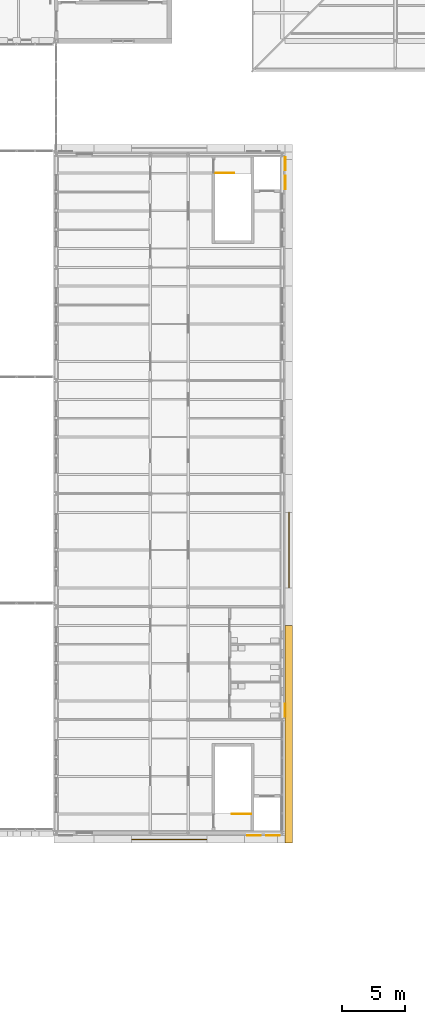
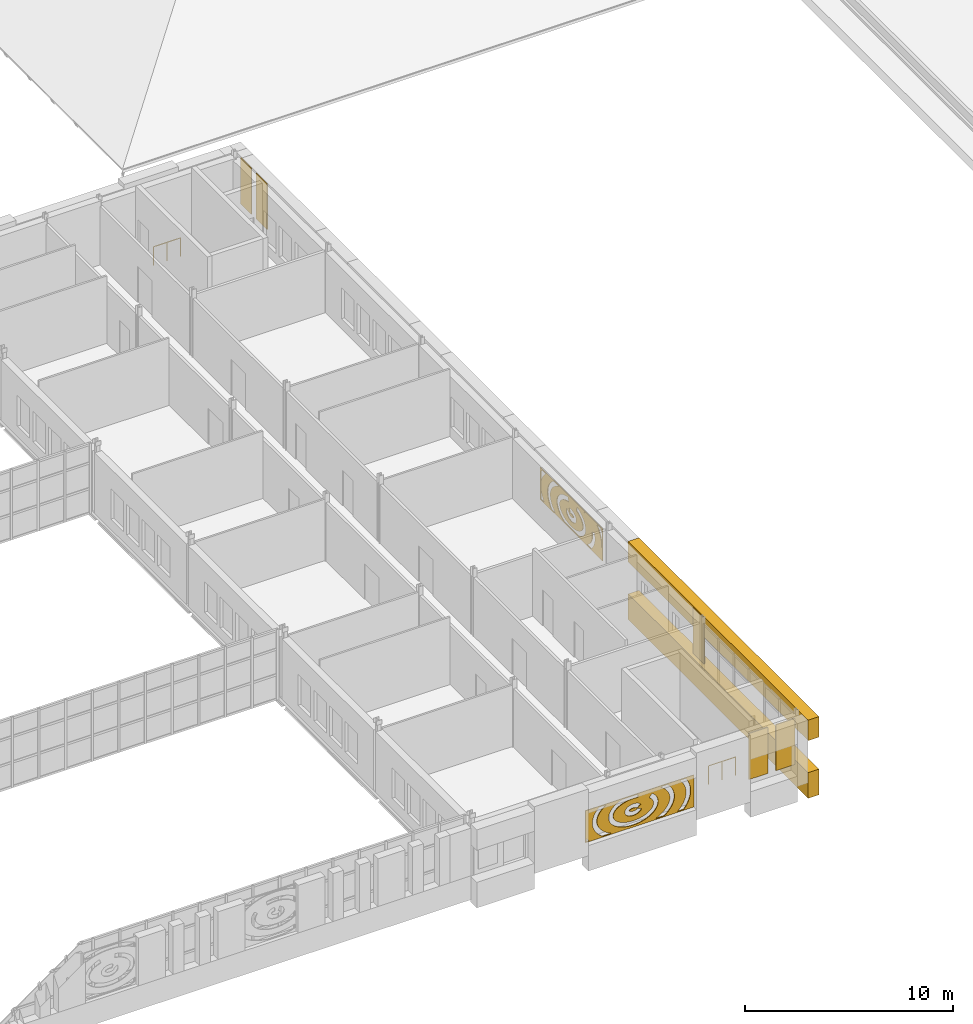
# One storey, part 141 of 154: 9 coverings, 2 railings.
"""IFC4 building model written with IfcOpenShell, lengths in metres."""

from ifc_helpers import new_model, si_unit, direction, frame, origin, origin_2d, place, context, subcontext, project, spatial, polyline, circle, outline, extrude, material, layer, layer_set, type_object, element, save


model = new_model("IFC4")

# Units and contexts
model_context = context("Model", 3, precision=1e-05, world=origin(), true_north=direction((0.0, 1.0)))
body_context = subcontext(model_context, "Body", "Model", "MODEL_VIEW")
ifc_project = project(units=[si_unit("LENGTHUNIT", "METRE"), si_unit("AREAUNIT", "SQUARE_METRE"), si_unit("VOLUMEUNIT", "CUBIC_METRE"), si_unit("PLANEANGLEUNIT", "RADIAN"), si_unit("MASSUNIT", "GRAM", prefix="KILO")], contexts=[model_context])

# Site, building, storey
site_placement = place(None, origin())
site = spatial("IfcSite", under=ifc_project, at=site_placement, CompositionType="ELEMENT")
building_placement = place(site_placement, origin())
building = spatial("IfcBuilding", under=site, at=building_placement, Name="Golden Quay Civic Hall", CompositionType="ELEMENT")
storey_placement = place(building_placement, frame((0.0, 0.0, 14.39990234375)))
storey = spatial("IfcBuildingStorey", under=building, at=storey_placement, Name="L03", CompositionType="ELEMENT", Elevation=14.39990234375)

# Coverings
ifc_material_1 = material(Name="Aluminium, golden anodised, perforated", Category="aluminium")
ifc_layer_1 = layer(ifc_material_1, 0.0400390625)
ifc_layer_set_1 = layer_set([ifc_layer_1], Name="Perforated screen panel 6000 x 1880 x 40")
covering_type_1 = type_object("IfcCoveringType", Name="Perforated screen panel 6000 x 1880 x 40", PredefinedType="CLADDING", material=ifc_layer_set_1)
covering_1_placement = place(storey_placement, frame((117.5, 22.5, 1.5400390625), z_axis=(1.0, 0.0, 0.0), x_axis=(0.0, 1.0, 0.0)))
element("IfcCovering", 1, at=covering_1_placement, inside=storey, type_object=covering_type_1, Name="Perforated screen panel 6000 x 1880 x 40 L03 4", PredefinedType="CLADDING", context=body_context, shape_type="SweptSolid", body=[
    extrude(outline(polyline([(-3.0, -0.93994140625), (3.0, -0.93994140625), (3.0, 0.93994140625), (-3.0, 0.93994140625), (-3.0, -0.93994140625)]), holes=[polyline([(0.079833984375, 0.0029296875), (0.031005859375, 0.009521484375), (-0.02001953125, 0.010009765625), (-0.069580078125, 0.0048828125), (-0.115478515625, -0.005615234375), (-0.155029296875, -0.0205078125), (-0.18603515625, -0.03759765625), (-0.214111328125, -0.06201171875), (-0.22119140625, -0.0732421875), (-0.22265625, -0.08349609375), (-0.20703125, -0.105712890625), (-0.17138671875, -0.13134765625), (-0.1357421875, -0.147705078125), (-0.092529296875, -0.160400390625), (-0.04443359375, -0.168212890625), (0.006103515625, -0.17041015625), (0.056396484375, -0.166748046875), (0.103515625, -0.15771484375), (0.14501953125, -0.143798828125), (0.19189453125, -0.118408203125), (0.210693359375, -0.101806640625), (0.22216796875, -0.085205078125), (0.22216796875, -0.0751953125), (0.212646484375, -0.05908203125), (0.4267578125, 0.07568359375), (0.446533203125, 0.042236328125), (0.461669921875, 0.00634765625), (0.4716796875, -0.03173828125), (0.47607421875, -0.07080078125), (0.474609375, -0.110107421875), (0.46728515625, -0.1484375), (0.45458984375, -0.184814453125), (0.425537109375, -0.2373046875), (0.392578125, -0.27783203125), (0.345703125, -0.3193359375), (0.304931640625, -0.34619140625), (0.237060546875, -0.379638671875), (0.171142578125, -0.4013671875), (0.09326171875, -0.4169921875), (0.013427734375, -0.42333984375), (-0.066650390625, -0.420166015625), (-0.14501953125, -0.40771484375), (-0.2197265625, -0.38623046875), (-0.289306640625, -0.355224609375), (-0.33056640625, -0.330078125), (-0.3798828125, -0.290283203125), (-0.41455078125, -0.25244140625), (-0.447021484375, -0.201416015625), (-0.467041015625, -0.14892578125), (-0.47607421875, -0.090087890625), (-0.4716796875, -0.031982421875), (-0.45458984375, 0.025146484375), (-0.436767578125, 0.059814453125), (-0.4150390625, 0.091796875), (-0.380615234375, 0.1298828125), (-0.322265625, 0.17578125), (-0.256103515625, 0.21142578125), (-0.183837890625, 0.23779296875), (-0.14599609375, 0.24755859375), (-0.074951171875, 0.25927734375), (0.012451171875, 0.26318359375), (0.084716796875, 0.25830078125), (0.1240234375, 0.252197265625), (0.199951171875, 0.23291015625), (0.128662109375, -0.009765625), (0.079833984375, 0.0029296875)]), polyline([(-0.645263671875, 0.447998046875), (-0.715087890625, 0.41650390625), (-0.780517578125, 0.382080078125), (-0.8408203125, 0.345458984375), (-0.895751953125, 0.306396484375), (-0.94482421875, 0.265380859375), (-0.988037109375, 0.22314453125), (-1.025146484375, 0.179931640625), (-1.05615234375, 0.135986328125), (-1.0810546875, 0.092041015625), (-1.10009765625, 0.048095703125), (-1.11328125, 0.00439453125), (-1.12109375, -0.039306640625), (-1.123291015625, -0.082763671875), (-1.120361328125, -0.126220703125), (-1.11181640625, -0.169677734375), (-1.097900390625, -0.21337890625), (-1.078369140625, -0.257568359375), (-1.052734375, -0.301513671875), (-1.02099609375, -0.34521484375), (-0.983154296875, -0.388427734375), (-0.939208984375, -0.4306640625), (-0.88916015625, -0.47119140625), (-0.833740234375, -0.510009765625), (-0.772705078125, -0.546630859375), (-0.706787109375, -0.58056640625), (-0.63623046875, -0.611572265625), (-0.5615234375, -0.639404296875), (-0.483154296875, -0.663818359375), (-0.401611328125, -0.684326171875), (-0.317626953125, -0.701416015625), (-0.2314453125, -0.714111328125), (-0.143798828125, -0.722900390625), (-0.05517578125, -0.727783203125), (0.03369140625, -0.728271484375), (0.122314453125, -0.724609375), (0.21044921875, -0.716796875), (0.296875, -0.704833984375), (0.381591796875, -0.68896484375), (0.463623046875, -0.669189453125), (0.54296875, -0.6455078125), (0.618408203125, -0.61865234375), (0.690185546875, -0.58837890625), (0.757080078125, -0.55517578125), (0.8193359375, -0.51904296875), (0.876220703125, -0.48095703125), (0.927490234375, -0.440673828125), (0.972900390625, -0.398681640625), (1.01220703125, -0.35595703125), (1.04541015625, -0.312255859375), (1.07275390625, -0.268310546875), (1.09375, -0.22412109375), (1.109130859375, -0.180419921875), (1.118896484375, -0.13671875), (1.123046875, -0.09326171875), (1.1220703125, -0.0498046875), (1.115478515625, -0.00634765625), (1.103759765625, 0.037353515625), (1.086181640625, 0.081298828125), (1.062744140625, 0.12548828125), (1.033203125, 0.16943359375), (0.99755859375, 0.212890625), (0.955810546875, 0.25537109375), (0.908203125, 0.296630859375), (0.854736328125, 0.336181640625), (0.795654296875, 0.37353515625), (0.7314453125, 0.408447265625), (0.66259765625, 0.4404296875), (0.58935546875, 0.469482421875), (0.51220703125, 0.4951171875), (0.431884765625, 0.517333984375), (0.3486328125, 0.53564453125), (0.26025390625, 0.55029296875), (0.30224609375, 0.7998046875), (0.393798828125, 0.784423828125), (0.489501953125, 0.763671875), (0.589111328125, 0.736083984375), (0.672607421875, 0.70849609375), (0.75927734375, 0.67431640625), (0.841796875, 0.635986328125), (0.927490234375, 0.58935546875), (1.001220703125, 0.542236328125), (1.062255859375, 0.4970703125), (1.125244140625, 0.443359375), (1.18212890625, 0.385986328125), (1.23974609375, 0.3154296875), (1.282958984375, 0.25), (1.312744140625, 0.194091796875), (1.34130859375, 0.12451171875), (1.36181640625, 0.052734375), (1.374755859375, -0.035888671875), (1.37548828125, -0.1103515625), (1.3671875, -0.18408203125), (1.350341796875, -0.256591796875), (1.330078125, -0.314208984375), (1.2978515625, -0.383544921875), (1.25048828125, -0.46044921875), (1.20263671875, -0.5224609375), (1.15576171875, -0.573486328125), (1.087646484375, -0.636474609375), (1.021240234375, -0.68798828125), (0.94970703125, -0.73583984375), (0.880126953125, -0.776123046875), (0.7919921875, -0.81982421875), (0.713623046875, -0.852783203125), (0.638427734375, -0.8798828125), (-0.639404296875, -0.8798828125), (-0.727783203125, -0.847412109375), (-0.81201171875, -0.810546875), (-0.89208984375, -0.76953125), (-0.967529296875, -0.724609375), (-1.037841796875, -0.67578125), (-1.102783203125, -0.623291015625), (-1.162109375, -0.5673828125), (-1.22216796875, -0.49853515625), (-1.26806640625, -0.434326171875), (-1.306396484375, -0.366943359375), (-1.331787109375, -0.310302734375), (-1.355224609375, -0.2392578125), (-1.3720703125, -0.151123046875), (-1.376220703125, -0.09228515625), (-1.373046875, -0.01806640625), (-1.357421875, 0.0703125), (-1.335205078125, 0.1416015625), (-1.3046875, 0.210693359375), (-1.266357421875, 0.27685546875), (-1.228271484375, 0.330810546875), (-1.176513671875, 0.39208984375), (-1.1181640625, 0.44970703125), (-1.046142578125, 0.509521484375), (-0.9765625, 0.558837890625), (-0.901611328125, 0.604248046875), (-0.822265625, 0.6455078125), (-0.738525390625, 0.682861328125), (-0.651123046875, 0.716064453125), (-0.566650390625, 0.742919921875), (-0.489990234375, 0.501953125), (-0.571044921875, 0.47607421875), (-0.645263671875, 0.447998046875)]), polyline([(-2.017333984375, 0.01220703125), (-2.023193359375, -0.059814453125), (-2.021484375, -0.132080078125), (-2.012451171875, -0.2041015625), (-1.995849609375, -0.27587890625), (-1.9716796875, -0.347900390625), (-1.93994140625, -0.419189453125), (-1.900390625, -0.48974609375), (-1.85302734375, -0.5595703125), (-1.798095703125, -0.628173828125), (-1.73583984375, -0.695068359375), (-1.666015625, -0.759765625), (-1.5888671875, -0.822265625), (-1.5078125, -0.8798828125), (-1.908203125, -0.8798828125), (-1.99267578125, -0.7900390625), (-2.059814453125, -0.70556640625), (-2.118408203125, -0.617919921875), (-2.163330078125, -0.53759765625), (-2.205078125, -0.4453125), (-2.237548828125, -0.350830078125), (-2.26025390625, -0.25439453125), (-2.273193359375, -0.156982421875), (-2.276123046875, -0.05908203125), (-2.268798828125, 0.038818359375), (-2.251708984375, 0.13623046875), (-2.224609375, 0.232421875), (-1.9814453125, 0.162109375), (-2.00390625, 0.084228515625), (-2.017333984375, 0.01220703125)]), polyline([(1.507080078125, -0.8798828125), (1.608642578125, -0.806884765625), (1.68408203125, -0.743896484375), (1.751953125, -0.678466796875), (1.8125, -0.611083984375), (1.865478515625, -0.54248046875), (1.910888671875, -0.472412109375), (1.948486328125, -0.4013671875), (1.978515625, -0.330078125), (2.00048828125, -0.258056640625), (2.015380859375, -0.18603515625), (2.022705078125, -0.114013671875), (2.022216796875, -0.0419921875), (2.0146484375, 0.0302734375), (1.99951171875, 0.102294921875), (1.976806640625, 0.174072265625), (1.946533203125, 0.245361328125), (1.90869140625, 0.31640625), (1.86279296875, 0.38623046875), (1.809326171875, 0.455078125), (1.748291015625, 0.522216796875), (1.679931640625, 0.58740234375), (1.604248046875, 0.650390625), (1.521728515625, 0.710693359375), (1.4326171875, 0.76806640625), (1.337158203125, 0.822021484375), (1.217529296875, 0.8798828125), (1.71875, 0.8798828125), (1.756591796875, 0.852294921875), (1.844970703125, 0.779296875), (1.9326171875, 0.695556640625), (2.0, 0.621337890625), (2.065673828125, 0.537353515625), (2.123291015625, 0.4501953125), (2.172119140625, 0.35986328125), (2.212158203125, 0.26708984375), (2.24267578125, 0.17236328125), (2.263427734375, 0.075927734375), (2.2744140625, -0.021728515625), (2.275390625, -0.119873046875), (2.266357421875, -0.2177734375), (2.243896484375, -0.326904296875), (2.214111328125, -0.421875), (2.174560546875, -0.514892578125), (2.126220703125, -0.60498046875), (2.069091796875, -0.6923828125), (2.010009765625, -0.769287109375), (1.93701171875, -0.851318359375), (1.9072265625, -0.8798828125), (1.507080078125, -0.8798828125)]), polyline([(-1.218505859375, 0.8798828125), (-1.32666015625, 0.827392578125), (-1.352294921875, 0.8798828125), (-1.218505859375, 0.8798828125)]), polyline([(2.65576171875, -0.81298828125), (2.71826171875, -0.724853515625), (2.772705078125, -0.635498046875), (2.818603515625, -0.544921875), (2.856201171875, -0.453369140625), (2.885498046875, -0.361083984375), (2.906494140625, -0.2685546875), (2.9189453125, -0.17578125), (2.92333984375, -0.0830078125), (2.91943359375, 0.010009765625), (2.907470703125, 0.102783203125), (2.886962890625, 0.1953125), (2.858154296875, 0.28759765625), (2.821044921875, 0.379150390625), (2.775634765625, 0.4697265625), (2.721923828125, 0.559326171875), (2.659912109375, 0.6474609375), (2.589599609375, 0.73388671875), (2.51123046875, 0.818359375), (2.446533203125, 0.8798828125), (2.796875, 0.8798828125), (2.864013671875, 0.796630859375), (2.93994140625, 0.687255859375), (2.93994140625, -0.846923828125), (2.918212890625, -0.8798828125), (2.6005859375, -0.8798828125), (2.65576171875, -0.81298828125)]), polyline([(-2.504638671875, 0.8251953125), (-2.58349609375, 0.740966796875), (-2.654296875, 0.654541015625), (-2.71728515625, 0.56640625), (-2.771484375, 0.47705078125), (-2.817626953125, 0.386474609375), (-2.85546875, 0.294921875), (-2.885009765625, 0.202880859375), (-2.906005859375, 0.1103515625), (-2.9189453125, 0.017578125), (-2.92333984375, -0.075439453125), (-2.91943359375, -0.173828125), (-2.93994140625, -0.1748046875), (-2.93994140625, 0.686767578125), (-2.85791015625, 0.8046875), (-2.79638671875, 0.8798828125), (-2.446533203125, 0.8798828125), (-2.504638671875, 0.8251953125)])]), origin(), (0.0, 0.0, 1.0), 0.0400390625),
])
covering_2_placement = place(storey_placement, frame((108.0, -0.5, 1.5400390625), z_axis=(0.0, -1.0, 0.0), x_axis=(1.0, 0.0, 0.0)))
element("IfcCovering", 2, at=covering_2_placement, inside=storey, type_object=covering_type_1, Name="Perforated screen panel 6000 x 1880 x 40 L03 5", PredefinedType="CLADDING", context=body_context, shape_type="SweptSolid", body=[
    extrude(outline(polyline([(-3.0, -0.93994140625), (3.0, -0.93994140625), (3.0, 0.93994140625), (-3.0, 0.93994140625), (-3.0, -0.93994140625)]), holes=[polyline([(-0.148681640625, 0.11083984375), (-0.189208984375, 0.136962890625), (-0.24951171875, 0.158447265625), (-0.32177734375, 0.169677734375), (-0.37255859375, 0.169921875), (-0.422119140625, 0.164306640625), (-0.48828125, 0.146484375), (-0.53759765625, 0.12158203125), (-0.55810546875, 0.1044921875), (-0.571533203125, 0.08642578125), (-0.571044921875, 0.07275390625), (-0.556396484375, 0.053466796875), (-0.534423828125, 0.036376953125), (-0.502685546875, 0.019287109375), (-0.462646484375, 0.0048828125), (-0.41650390625, -0.00537109375), (-0.34130859375, -0.010498046875), (-0.26708984375, -0.00244140625), (-0.202880859375, 0.016845703125), (-0.169921875, 0.03369140625), (-0.146484375, 0.051025390625), (-0.133056640625, 0.06591796875), (-0.124267578125, 0.08349609375), (0.106201171875, -0.02099609375), (0.077880859375, -0.073974609375), (0.04541015625, -0.114990234375), (-0.001220703125, -0.156982421875), (-0.04150390625, -0.184326171875), (-0.100830078125, -0.214599609375), (-0.1748046875, -0.240234375), (-0.220947265625, -0.251220703125), (-0.2998046875, -0.26171875), (-0.37255859375, -0.262939453125), (-0.412353515625, -0.260498046875), (-0.49853515625, -0.2470703125), (-0.56591796875, -0.2275390625), (-0.6015625, -0.21337890625), (-0.668212890625, -0.17822265625), (-0.7080078125, -0.149658203125), (-0.736328125, -0.1240234375), (-0.761962890625, -0.095703125), (-0.7841796875, -0.064208984375), (-0.802490234375, -0.02978515625), (-0.81591796875, 0.007080078125), (-0.825927734375, 0.06591796875), (-0.822509765625, 0.123779296875), (-0.813232421875, 0.16162109375), (-0.799072265625, 0.197021484375), (-0.780517578125, 0.229736328125), (-0.758544921875, 0.260009765625), (-0.70556640625, 0.3115234375), (-0.6435546875, 0.352783203125), (-0.574462890625, 0.384521484375), (-0.5, 0.40673828125), (-0.461181640625, 0.414306640625), (-0.389404296875, 0.42236328125), (-0.30908203125, 0.422119140625), (-0.261962890625, 0.417724609375), (-0.183837890625, 0.402587890625), (-0.11767578125, 0.38134765625), (-0.073974609375, 0.362060546875), (-0.017578125, 0.328857421875), (0.021240234375, 0.29833984375), (0.063720703125, 0.25341796875), (-0.12939453125, 0.090087890625), (-0.148681640625, 0.11083984375)]), polyline([(-0.28271484375, 0.727294921875), (-0.37158203125, 0.728515625), (-0.460205078125, 0.725341796875), (-0.54833984375, 0.718017578125), (-0.63525390625, 0.70654296875), (-0.72021484375, 0.69140625), (-0.802734375, 0.672119140625), (-0.88232421875, 0.64892578125), (-0.95849609375, 0.62255859375), (-1.030517578125, 0.592529296875), (-1.098388671875, 0.559814453125), (-1.1611328125, 0.524169921875), (-1.21875, 0.486083984375), (-1.27099609375, 0.4462890625), (-1.317138671875, 0.404541015625), (-1.357421875, 0.36181640625), (-1.391357421875, 0.318115234375), (-1.419189453125, 0.274169921875), (-1.441162109375, 0.230224609375), (-1.457275390625, 0.186279296875), (-1.4677734375, 0.142578125), (-1.472900390625, 0.09912109375), (-1.472412109375, 0.0556640625), (-1.466796875, 0.01220703125), (-1.455810546875, -0.031494140625), (-1.43896484375, -0.075439453125), (-1.416259765625, -0.119384765625), (-1.3876953125, -0.163330078125), (-1.352783203125, -0.206787109375), (-1.31201171875, -0.24951171875), (-1.264892578125, -0.291015625), (-1.21240234375, -0.330810546875), (-1.154052734375, -0.368408203125), (-1.090576171875, -0.40380859375), (-1.022216796875, -0.436279296875), (-0.94970703125, -0.4658203125), (-0.873046875, -0.491943359375), (-0.793212890625, -0.514404296875), (-0.710205078125, -0.533203125), (-0.625, -0.548095703125), (-0.5380859375, -0.55908203125), (-0.449951171875, -0.56591796875), (-0.361083984375, -0.568603515625), (-0.272216796875, -0.56689453125), (-0.18359375, -0.561279296875), (-0.096435546875, -0.55126953125), (-0.0107421875, -0.537353515625), (0.07275390625, -0.51953125), (0.153564453125, -0.497802734375), (0.23095703125, -0.47265625), (0.3046875, -0.44384765625), (0.3740234375, -0.412109375), (0.438720703125, -0.37744140625), (0.498291015625, -0.34033203125), (0.552490234375, -0.301025390625), (0.600830078125, -0.260009765625), (0.643310546875, -0.217529296875), (0.6796875, -0.17431640625), (0.709716796875, -0.13037109375), (0.73388671875, -0.086181640625), (0.752197265625, -0.042236328125), (0.7646484375, 0.00146484375), (0.771484375, 0.044921875), (0.773193359375, 0.08837890625), (0.76953125, 0.1318359375), (0.760498046875, 0.17529296875), (0.745849609375, 0.21923828125), (0.725341796875, 0.26318359375), (0.698974609375, 0.307373046875), (0.666259765625, 0.35107421875), (0.627685546875, 0.39404296875), (0.5830078125, 0.43603515625), (0.528564453125, 0.4794921875), (0.6865234375, 0.677001953125), (0.74462890625, 0.630615234375), (0.8046875, 0.57470703125), (0.8583984375, 0.515625), (0.905517578125, 0.453369140625), (0.945556640625, 0.3876953125), (0.97802734375, 0.3193359375), (1.002685546875, 0.24853515625), (1.018798828125, 0.17578125), (1.02587890625, 0.10205078125), (1.02392578125, 0.027587890625), (1.01318359375, -0.046142578125), (0.993408203125, -0.11865234375), (0.96484375, -0.189208984375), (0.928466796875, -0.25732421875), (0.884521484375, -0.322509765625), (0.83349609375, -0.38427734375), (0.768310546875, -0.449462890625), (0.704833984375, -0.5029296875), (0.643310546875, -0.547607421875), (0.561767578125, -0.598388671875), (0.48291015625, -0.640380859375), (0.399658203125, -0.67822265625), (0.312744140625, -0.7119140625), (0.228759765625, -0.7392578125), (0.12890625, -0.76611328125), (0.032958984375, -0.78662109375), (-0.06494140625, -0.80224609375), (-0.164306640625, -0.813232421875), (-0.2646484375, -0.819580078125), (-0.359619140625, -0.8212890625), (-0.460205078125, -0.818603515625), (-0.560546875, -0.81103515625), (-0.659423828125, -0.798828125), (-0.76318359375, -0.780517578125), (-0.852294921875, -0.760498046875), (-0.945068359375, -0.734375), (-1.03466796875, -0.7041015625), (-1.12060546875, -0.669189453125), (-1.202880859375, -0.63037109375), (-1.280517578125, -0.58740234375), (-1.361083984375, -0.535400390625), (-1.421142578125, -0.489990234375), (-1.4833984375, -0.435546875), (-1.546875, -0.369140625), (-1.59619140625, -0.306640625), (-1.63818359375, -0.24072265625), (-1.6669921875, -0.184814453125), (-1.694580078125, -0.11474609375), (-1.7138671875, -0.042724609375), (-1.724365234375, 0.03076171875), (-1.724853515625, 0.12060546875), (-1.715576171875, 0.194091796875), (-1.70166015625, 0.252197265625), (-1.67626953125, 0.32373046875), (-1.642822265625, 0.392822265625), (-1.6015625, 0.458984375), (-1.552978515625, 0.52197265625), (-1.497802734375, 0.58154296875), (-1.436279296875, 0.637451171875), (-1.36181640625, 0.69482421875), (-1.28955078125, 0.7421875), (-1.219482421875, 0.78173828125), (-1.130615234375, 0.824951171875), (-1.0517578125, 0.857666015625), (-0.98779296875, 0.8798828125), (-0.085693359375, 0.8798828125), (-0.103515625, 0.71240234375), (-0.194091796875, 0.72216796875), (-0.28271484375, 0.727294921875)]), polyline([(-1.856689453125, 0.8798828125), (-1.965087890625, 0.802001953125), (-2.039794921875, 0.73876953125), (-2.107177734375, 0.673095703125), (-2.167236328125, 0.605712890625), (-2.219482421875, 0.536865234375), (-2.26416015625, 0.466552734375), (-2.30126953125, 0.395751953125), (-2.330322265625, 0.32421875), (-2.35205078125, 0.252197265625), (-2.3662109375, 0.180419921875), (-2.372802734375, 0.108154296875), (-2.3720703125, 0.0361328125), (-2.36376953125, -0.035888671875), (-2.347900390625, -0.10791015625), (-2.32470703125, -0.1796875), (-2.293701171875, -0.251220703125), (-2.255126953125, -0.322021484375), (-2.208740234375, -0.391845703125), (-2.15478515625, -0.46044921875), (-2.093017578125, -0.527587890625), (-2.024169921875, -0.5927734375), (-1.947998046875, -0.655517578125), (-1.86474609375, -0.715576171875), (-1.77490234375, -0.7724609375), (-1.67919921875, -0.825927734375), (-1.568115234375, -0.8798828125), (-2.06884765625, -0.8798828125), (-2.09912109375, -0.858154296875), (-2.18798828125, -0.78515625), (-2.2763671875, -0.701904296875), (-2.34423828125, -0.628173828125), (-2.41064453125, -0.544189453125), (-2.468994140625, -0.457275390625), (-2.5185546875, -0.3671875), (-2.55908203125, -0.27490234375), (-2.590576171875, -0.18017578125), (-2.6123046875, -0.083740234375), (-2.6240234375, 0.013916015625), (-2.625732421875, 0.11181640625), (-2.617431640625, 0.2099609375), (-2.59619140625, 0.3193359375), (-2.56689453125, 0.414306640625), (-2.5283203125, 0.50732421875), (-2.48046875, 0.597900390625), (-2.424072265625, 0.685546875), (-2.365478515625, 0.7626953125), (-2.293212890625, 0.8447265625), (-2.257080078125, 0.8798828125), (-1.856689453125, 0.8798828125)]), polyline([(0.867919921875, -0.8798828125), (0.981689453125, -0.82470703125), (1.077392578125, -0.77099609375), (1.1669921875, -0.714111328125), (1.25, -0.65380859375), (1.325927734375, -0.591064453125), (1.394775390625, -0.52587890625), (1.456298828125, -0.458740234375), (1.510009765625, -0.39013671875), (1.55615234375, -0.3203125), (1.5947265625, -0.24951171875), (1.62548828125, -0.177978515625), (1.6484375, -0.106201171875), (1.6640625, -0.0341796875), (1.672119140625, 0.037841796875), (1.672607421875, 0.110107421875), (1.666015625, 0.18212890625), (1.651611328125, 0.254150390625), (1.6298828125, 0.325927734375), (1.600341796875, 0.3974609375), (1.563232421875, 0.468505859375), (1.518310546875, 0.53857421875), (1.4658203125, 0.607421875), (1.405517578125, 0.6748046875), (1.337890625, 0.740234375), (1.26318359375, 0.803466796875), (1.156982421875, 0.8798828125), (1.557373046875, 0.8798828125), (1.59130859375, 0.8466796875), (1.663818359375, 0.7646484375), (1.72265625, 0.687744140625), (1.779296875, 0.60009765625), (1.83203125, 0.499267578125), (1.865966796875, 0.416748046875), (1.8955078125, 0.321533203125), (1.9169921875, 0.21240234375), (1.925048828125, 0.127197265625), (1.925048828125, 0.029296875), (1.91259765625, -0.081298828125), (1.89111328125, -0.177734375), (1.860107421875, -0.2724609375), (1.819580078125, -0.364990234375), (1.770263671875, -0.455078125), (1.71240234375, -0.5419921875), (1.652099609375, -0.61865234375), (1.578125, -0.7001953125), (1.49658203125, -0.777587890625), (1.40771484375, -0.851318359375), (1.368896484375, -0.8798828125), (0.867919921875, -0.8798828125)]), polyline([(-2.93994140625, -0.732177734375), (-2.83642578125, -0.843017578125), (-2.79638671875, -0.8798828125), (-2.93994140625, -0.8798828125), (-2.93994140625, -0.732177734375)]), polyline([(2.178955078125, -0.80029296875), (2.255615234375, -0.71533203125), (2.323974609375, -0.62841796875), (2.38427734375, -0.5400390625), (2.436279296875, -0.4501953125), (2.47998046875, -0.359375), (2.51513671875, -0.267578125), (2.5419921875, -0.17529296875), (2.560791015625, -0.082763671875), (2.571044921875, 0.010009765625), (2.5732421875, 0.10302734375), (2.56689453125, 0.196044921875), (2.552490234375, 0.288818359375), (2.52978515625, 0.381103515625), (2.498779296875, 0.47314453125), (2.459228515625, 0.564453125), (2.41162109375, 0.65478515625), (2.35546875, 0.744140625), (2.291015625, 0.831787109375), (2.25048828125, 0.8798828125), (2.568603515625, 0.8798828125), (2.6328125, 0.77734375), (2.685302734375, 0.67822265625), (2.73291015625, 0.568603515625), (2.774169921875, 0.447021484375), (2.801513671875, 0.3330078125), (2.819091796875, 0.218505859375), (2.826171875, 0.10302734375), (2.822998046875, -0.01220703125), (2.809814453125, -0.127197265625), (2.7890625, -0.23046875), (2.753173828125, -0.353515625), (2.710205078125, -0.464111328125), (2.662109375, -0.56396484375), (2.595947265625, -0.678466796875), (2.525390625, -0.781494140625), (2.447509765625, -0.8798828125), (2.097412109375, -0.8798828125), (2.178955078125, -0.80029296875)])]), origin(), (0.0, 0.0, 1.0), 0.0400390625),
])

# Railings
ifc_material_2 = material(Name="Steel S355", Category="steel")
railing_type = type_object("IfcRailingType", Name="Steel guard 1100", PredefinedType="GUARDRAIL", material=ifc_material_2)
railing_1_placement = place(storey_placement, frame((114.5, 1.5, 0.0)))
element("IfcRailing", 3, at=railing_1_placement, inside=storey, type_object=railing_type, Name="L03 EM-S top well guard 1", PredefinedType="GUARDRAIL", context=body_context, shape_type="SweptSolid", body=[
    extrude(circle(Radius=0.02392578125, at=origin_2d()), frame((0.0, 0.0, 1.076171875), z_axis=(-1.0, 0.0, 0.0), x_axis=(0.0, -1.0, 0.0)), (0.0, 0.0, 1.0), 1.5),
    extrude(circle(Radius=0.02099609375, at=origin_2d()), origin(), (0.0, 0.0, 1.0), 1.052001953125),
    extrude(circle(Radius=0.02099609375, at=origin_2d()), frame((-0.75, 0.0, 0.0)), (0.0, 0.0, 1.0), 1.052001953125),
    extrude(circle(Radius=0.02099609375, at=origin_2d()), frame((-1.5, 0.0, 0.0)), (0.0, 0.0, 1.0), 1.052001953125),
])
railing_2_placement = place(storey_placement, frame((111.64990234375, 52.5, 0.0)))
element("IfcRailing", 4, at=railing_2_placement, inside=storey, type_object=railing_type, Name="L03 EM-N top well guard 1", PredefinedType="GUARDRAIL", context=body_context, shape_type="SweptSolid", body=[
    extrude(circle(Radius=0.02392578125, at=origin_2d()), frame((0.0, 0.0, 1.076171875), z_axis=(1.0, 0.0, 0.0), x_axis=(0.0, 1.0, 0.0)), (0.0, 0.0, 1.0), 1.5),
    extrude(circle(Radius=0.02099609375, at=origin_2d()), origin(), (0.0, 0.0, 1.0), 1.052001953125),
    extrude(circle(Radius=0.02099609375, at=origin_2d()), frame((0.75, 0.0, 0.0)), (0.0, 0.0, 1.0), 1.052001953125),
    extrude(circle(Radius=0.02099609375, at=origin_2d()), frame((1.5, 0.0, 0.0)), (0.0, 0.0, 1.0), 1.052001953125),
])

# Coverings
ifc_material_3 = material(Name="Terracotta cladding, golden glaze", Category="masonry")
ifc_layer_2 = layer(ifc_material_3, 0.050048828125)
ifc_layer_set_2 = layer_set([ifc_layer_2], Name="Terracotta solid panel 1050 x 2700 x 50")
covering_type_2 = type_object("IfcCoveringType", Name="Terracotta solid panel 1050 x 2700 x 50", PredefinedType="CLADDING", material=ifc_layer_set_2)
covering_3_placement = place(storey_placement, frame((0.0, 0.0, 0.900146484375)))
element("IfcCovering", 5, at=covering_3_placement, inside=storey, type_object=covering_type_2, Name="Terracotta solid panel 1050 x 2700 x 50 L03 26", PredefinedType="CLADDING", context=body_context, shape_type="SweptSolid", body=[
    extrude(outline(polyline([(117.199951171875, 9.22509765625), (117.199951171875, 10.27490234375), (117.25, 10.27490234375), (117.25, 9.22509765625), (117.199951171875, 9.22509765625)])), origin(), (0.0, 0.0, 1.0), 2.699951171875),
])
covering_4_placement = place(storey_placement, frame((0.0, 0.0, 0.900146484375)))
element("IfcCovering", 6, at=covering_4_placement, inside=storey, type_object=covering_type_2, Name="Terracotta solid panel 1050 x 2700 x 50 L03 27", PredefinedType="CLADDING", context=body_context, shape_type="SweptSolid", body=[
    extrude(outline(polyline([(117.199951171875, 51.22509765625), (117.199951171875, 52.27490234375), (117.25, 52.27490234375), (117.25, 51.22509765625), (117.199951171875, 51.22509765625)])), origin(), (0.0, 0.0, 1.0), 2.699951171875),
])
covering_5_placement = place(storey_placement, frame((0.0, 0.0, 0.900146484375)))
element("IfcCovering", 7, at=covering_5_placement, inside=storey, type_object=covering_type_2, Name="Terracotta solid panel 1050 x 2700 x 50 L03 28", PredefinedType="CLADDING", context=body_context, shape_type="SweptSolid", body=[
    extrude(outline(polyline([(117.199951171875, 52.72509765625), (117.199951171875, 53.77490234375), (117.25, 53.77490234375), (117.25, 52.72509765625), (117.199951171875, 52.72509765625)])), origin(), (0.0, 0.0, 1.0), 2.699951171875),
])
covering_6_placement = place(storey_placement, frame((0.0, 0.0, 0.900146484375)))
element("IfcCovering", 8, at=covering_6_placement, inside=storey, type_object=covering_type_2, Name="Terracotta solid panel 1050 x 2700 x 50 L03 30", PredefinedType="CLADDING", context=body_context, shape_type="SweptSolid", body=[
    extrude(outline(polyline([(114.22509765625, -0.199951171875), (115.27490234375, -0.199951171875), (115.27490234375, -0.25), (114.22509765625, -0.25), (114.22509765625, -0.199951171875)])), origin(), (0.0, 0.0, 1.0), 2.699951171875),
])
covering_7_placement = place(storey_placement, frame((0.0, 0.0, 0.900146484375)))
element("IfcCovering", 9, at=covering_7_placement, inside=storey, type_object=covering_type_2, Name="Terracotta solid panel 1050 x 2700 x 50 L03 31", PredefinedType="CLADDING", context=body_context, shape_type="SweptSolid", body=[
    extrude(outline(polyline([(115.72509765625, -0.199951171875), (116.77490234375, -0.199951171875), (116.77490234375, -0.25), (115.72509765625, -0.25), (115.72509765625, -0.199951171875)])), origin(), (0.0, 0.0, 1.0), 2.699951171875),
])
ifc_material_4 = material(Name="Terracotta cladding, golden glaze", Category="masonry")
covering_type_3 = type_object("IfcCoveringType", Name="Terracotta spandrel fascia 600 x 1200", PredefinedType="CLADDING", material=ifc_material_4)
covering_8_placement = place(storey_placement, frame((0.0, 0.0, 2.47998046875)))
element("IfcCovering", 10, at=covering_8_placement, inside=storey, type_object=covering_type_3, Name="Terracotta spandrel fascia 600 x 1200 L03 4", PredefinedType="CLADDING", context=body_context, shape_type="SweptSolid", body=[
    extrude(outline(polyline([(117.800048828125, -0.800048828125), (117.199951171875, -0.800048828125), (117.199951171875, -0.199951171875), (117.199951171875, 16.5), (117.800048828125, 16.5), (117.800048828125, -0.800048828125)])), origin(), (0.0, 0.0, 1.0), 1.2001953125),
])
ifc_material_5 = material(Name="Terracotta cladding, golden glaze", Category="masonry")
covering_type_4 = type_object("IfcCoveringType", Name="Terracotta spandrel fascia 600 x 1500", PredefinedType="CLADDING", material=ifc_material_5)
covering_9_placement = place(storey_placement, frame((0.0, 0.0, -0.89990234375)))
element("IfcCovering", 11, at=covering_9_placement, inside=storey, type_object=covering_type_4, Name="Terracotta spandrel fascia 600 x 1500 L03 8", PredefinedType="CLADDING", context=body_context, shape_type="SweptSolid", body=[
    extrude(outline(polyline([(117.800048828125, -0.800048828125), (117.199951171875, -0.800048828125), (117.199951171875, -0.199951171875), (117.199951171875, 16.5), (117.800048828125, 16.5), (117.800048828125, -0.800048828125)])), origin(), (0.0, 0.0, 1.0), 1.5),
])

save(model, "model.ifc")
